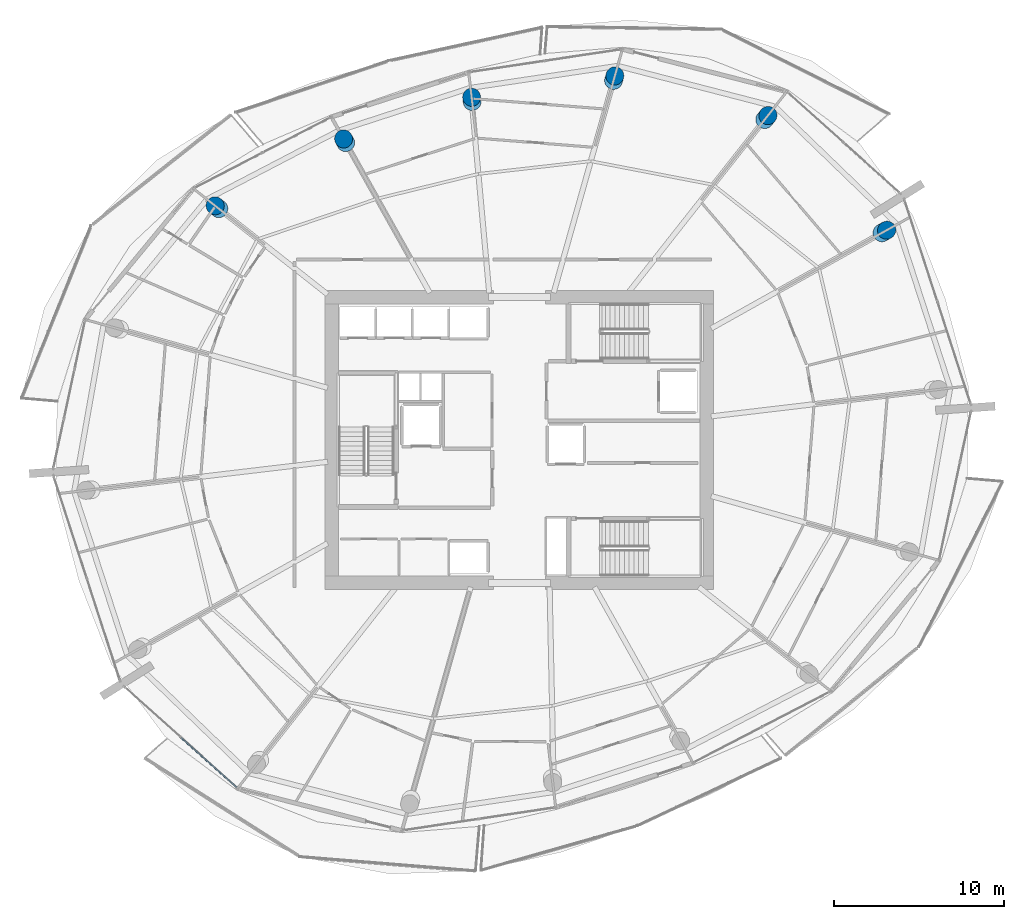
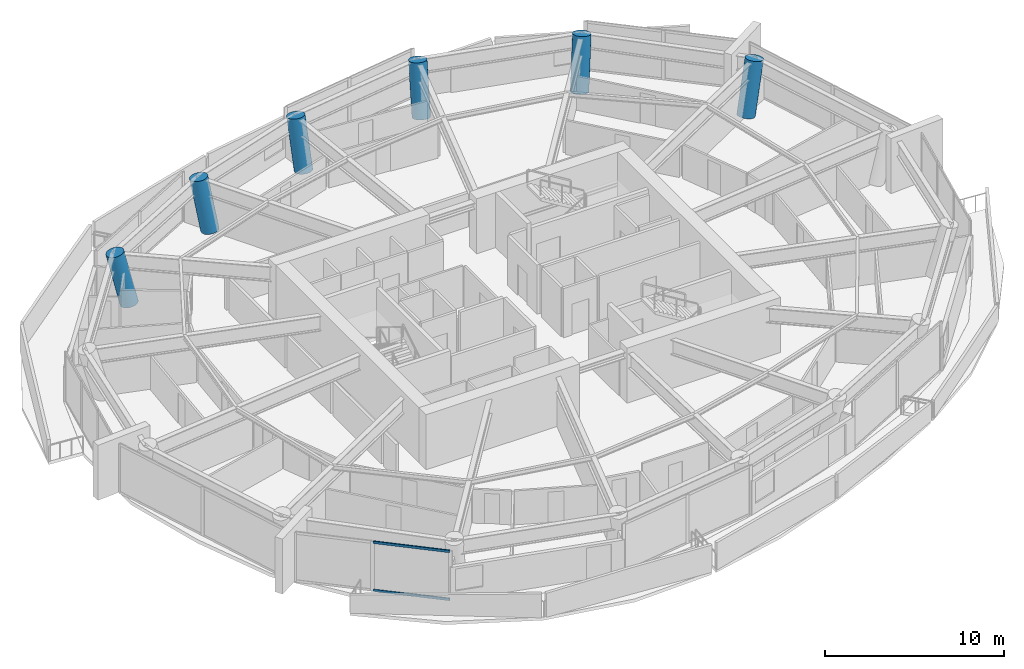
# One storey, part 4 of 19: 6 columns, 2 members, 1 element without a shape of its own.
"""IFC4 building model written with IfcOpenShell, lengths in metres."""

from ifc_helpers import new_model, si_unit, direction, frame, origin, origin_2d, place, context, subcontext, project, spatial, rectangle, circle, extrude, material, layer, layer_set, material_profile, profile_set, type_object, element, aggregate, save


model = new_model("IFC4")

# Units and contexts
model_context = context("Model", 3, precision=1e-05, world=origin(), true_north=direction((0.0, 1.0)))
body_context = subcontext(model_context, "Body", "Model", "MODEL_VIEW")
ifc_project = project(units=[si_unit("LENGTHUNIT", "METRE"), si_unit("AREAUNIT", "SQUARE_METRE"), si_unit("VOLUMEUNIT", "CUBIC_METRE"), si_unit("PLANEANGLEUNIT", "RADIAN"), si_unit("MASSUNIT", "GRAM", prefix="KILO")], contexts=[model_context])

# Site, building, storey
site_placement = place(None, origin())
site = spatial("IfcSite", under=ifc_project, at=site_placement, CompositionType="ELEMENT")
building_placement = place(site_placement, origin())
building = spatial("IfcBuilding", under=site, at=building_placement, Name="Kazma Halo Residences", CompositionType="ELEMENT")
storey_placement = place(building_placement, frame((0.0, 0.0, 172.800048828125)))
storey = spatial("IfcBuildingStorey", under=building, at=storey_placement, Name="L43", CompositionType="ELEMENT", Elevation=172.800048828125)

# Columns
ifc_material_1 = material(Name="Concrete C80/95", Category="concrete")
ifc_material_profile_1 = material_profile(ifc_material_1, circle(Radius=0.52490234375, at=origin_2d()), Name="CIRC1050")
ifc_profile_set_1 = profile_set([ifc_material_profile_1], Name="Concrete C80/95")
column_type = type_object("IfcColumnType", Name="COL-PERIM-1050", PredefinedType="COLUMN", material=ifc_profile_set_1)
column_1_placement = place(storey_placement, frame((69.730224609375, 54.16943359375, 0.0), z_axis=(0.230225969655, 0.128926543007, 0.964558940348), x_axis=(-0.488603368932, 0.87250601595, 0.0)))
element("IfcColumn", 1, at=column_1_placement, inside=storey, type_object=column_type, Name="L43 perimeter ring column P01", PredefinedType="COLUMN", context=body_context, shape_type="SweptSolid", body=[
    extrude(circle(Radius=0.52490234375, at=origin_2d()), origin(), (0.0, 0.0, 1.0), 3.472900390625),
])
column_2_placement = place(storey_placement, frame((62.839599609375, 60.82373046875, 0.0), z_axis=(0.157594412331, 0.199882716176, 0.96706302844), x_axis=(-0.785279521524, 0.619141399904, 0.0)))
element("IfcColumn", 2, at=column_2_placement, inside=storey, type_object=column_type, Name="L43 perimeter ring column P02", PredefinedType="COLUMN", context=body_context, shape_type="SweptSolid", body=[
    extrude(circle(Radius=0.52490234375, at=origin_2d()), origin(), (0.0, 0.0, 1.0), 3.4638671875),
])
column_3_placement = place(storey_placement, frame((53.95703125, 63.121826171875, 0.0), z_axis=(0.063555421136, 0.225455239748, 0.972178298109), x_axis=(-0.962488166983, 0.271323659894, 0.0)))
element("IfcColumn", 3, at=column_3_placement, inside=storey, type_object=column_type, Name="L43 perimeter ring column P03", PredefinedType="COLUMN", context=body_context, shape_type="SweptSolid", body=[
    extrude(circle(Radius=0.52490234375, at=origin_2d()), origin(), (0.0, 0.0, 1.0), 3.44580078125),
])
for number, where, z_axis, x_axis, name in (
    (4, (45.64697265625, 61.881103515625, 0.0), (-0.025269503228, 0.213189189208, 0.976684095197), (-0.993048379967, -0.117706903135, 0.0), "L43 perimeter ring column P04"),
    (5, (38.218017578125, 59.46728515625, 0.0), (-0.104922147102, 0.187279626204, 0.976687096596), (-0.872415530407, -0.488764915173, 0.0), "L43 perimeter ring column P05"),
):
    element("IfcColumn", number, at=place(storey_placement, frame(where, z_axis=z_axis, x_axis=x_axis)), inside=storey, type_object=column_type, Name=name, PredefinedType="COLUMN", context=body_context, shape_type="SweptSolid", body=[
        extrude(circle(Radius=0.52490234375, at=origin_2d()), origin(), (0.0, 0.0, 1.0), 3.429931640625),
    ])
column_4_placement = place(storey_placement, frame((30.765625, 55.58642578125, 0.0), z_axis=(-0.184003795843, 0.145034951903, 0.972166377654), x_axis=(-0.619036183506, -0.785362466324, 0.0)))
element("IfcColumn", 6, at=column_4_placement, inside=storey, type_object=column_type, Name="L43 perimeter ring column P06", PredefinedType="COLUMN", context=body_context, shape_type="SweptSolid", body=[
    extrude(circle(Radius=0.52490234375, at=origin_2d()), origin(), (0.0, 0.0, 1.0), 3.44580078125),
])

# Curtain wall, members
ifc_material_2 = material(Name="Aluminium AW-6063 T6 and Triple-Silver Low-E Glass", Category="aluminium")
ifc_layer = layer(ifc_material_2, 0.219970703125)
ifc_layer_set = layer_set([ifc_layer], Name="Aluminium AW-6063 T6 and Triple-Silver Low-E Glass")
curtain_wall_type = type_object("IfcCurtainWallType", Name="CW-SYS-4", PredefinedType="NOTDEFINED", material=ifc_layer_set)
curtain_wall_placement = place(storey_placement, origin())
curtain_wall = element("IfcCurtainWall", 7, at=curtain_wall_placement, inside=storey, type_object=curtain_wall_type, Name="L43 unitised curtain wall B09", PredefinedType="NOTDEFINED")
ifc_material_3 = material(Name="Aluminium AW-6063 T6", Category="aluminium")
ifc_material_profile_2 = material_profile(ifc_material_3, rectangle(XDim=0.074951171875, YDim=0.1650390625, at=origin_2d()), Name="CWT-75x165")
ifc_profile_set_2 = profile_set([ifc_material_profile_2], Name="Aluminium AW-6063 T6")
member_type = type_object("IfcMemberType", Name="CW-SYS-4-TRN", PredefinedType="USERDEFINED", material=ifc_profile_set_2)
member_1_placement = place(storey_placement, frame((28.552734375, 24.485107421875, 0.037353515625), z_axis=(0.744372794017, -0.667764287401, 0.0), x_axis=(0.667764287401, 0.744372794017, 0.0)))
member_1 = element("IfcMember", 8, at=member_1_placement, type_object=member_type, Name="CWS-4 transom 2.1", ObjectType="TRANSOM", PredefinedType="USERDEFINED", context=body_context, shape_type="SweptSolid", body=[
    extrude(rectangle(XDim=0.074951171875, YDim=0.1650390625, at=origin_2d()), origin(), (0.0, 0.0, 1.0), 4.36279296875),
])
member_2_placement = place(storey_placement, frame((28.552734375, 24.485107421875, 3.3125), z_axis=(0.744372794017, -0.667764287401, 0.0), x_axis=(0.667764287401, 0.744372794017, 0.0)))
member_2 = element("IfcMember", 9, at=member_2_placement, type_object=member_type, Name="CWS-4 transom 2.2", ObjectType="TRANSOM", PredefinedType="USERDEFINED", context=body_context, shape_type="SweptSolid", body=[
    extrude(rectangle(XDim=0.074951171875, YDim=0.1650390625, at=origin_2d()), origin(), (0.0, 0.0, 1.0), 4.36279296875),
])
aggregate(curtain_wall, [member_1, member_2])

save(model, "model.ifc")
